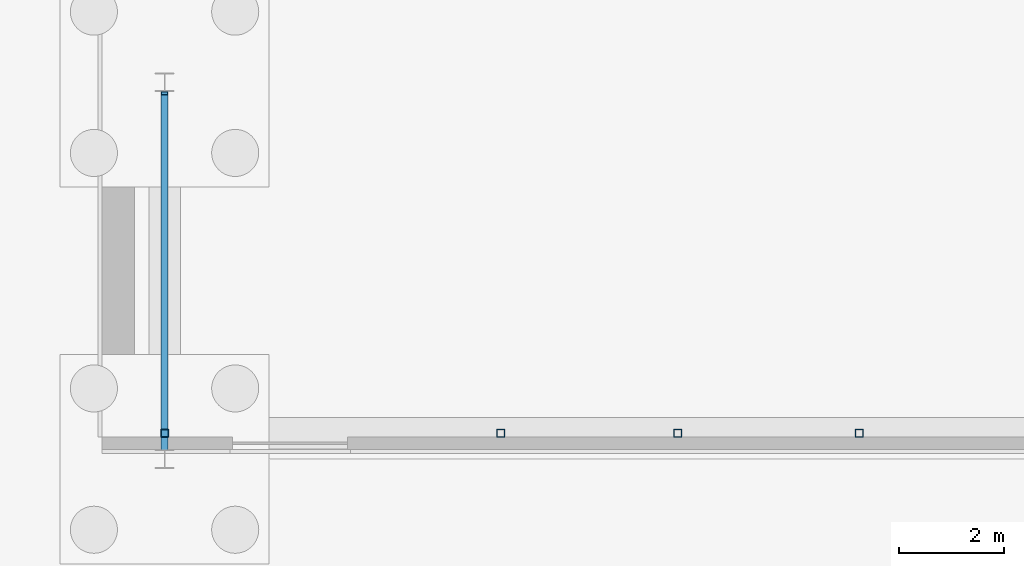
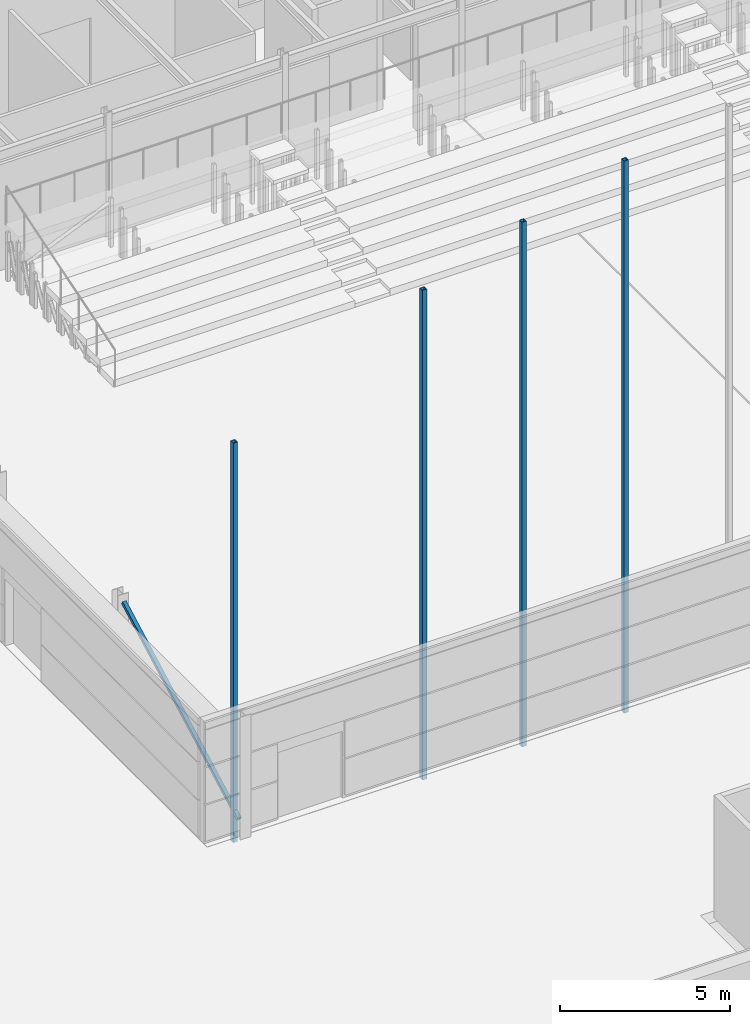
# One storey, part 27 of 139: 5 members.
"""IFC4 building model written with IfcOpenShell, lengths in metres."""

from ifc_helpers import new_model, si_unit, direction, frame, origin, origin_2d, place, context, subcontext, project, spatial, hollow_rectangle, extrude, material, material_profile, profile_set, type_object, element, save


model = new_model("IFC4")

# Units and contexts
model_context = context("Model", 3, precision=1e-05, world=origin(), true_north=direction((0.0, 1.0)))
body_context = subcontext(model_context, "Body", "Model", "MODEL_VIEW")
ifc_project = project(units=[si_unit("LENGTHUNIT", "METRE"), si_unit("AREAUNIT", "SQUARE_METRE"), si_unit("VOLUMEUNIT", "CUBIC_METRE"), si_unit("PLANEANGLEUNIT", "RADIAN"), si_unit("MASSUNIT", "GRAM", prefix="KILO")], contexts=[model_context])

# Site, building, storey
site_placement = place(None, origin())
site = spatial("IfcSite", under=ifc_project, at=site_placement, CompositionType="ELEMENT")
building_placement = place(site_placement, origin())
building = spatial("IfcBuilding", under=site, at=building_placement, Name="Verrick Yard Athletic Hall", CompositionType="ELEMENT")
storey_placement = place(building_placement, origin())
storey = spatial("IfcBuildingStorey", under=building, at=storey_placement, Name="L00", CompositionType="ELEMENT", Elevation=0.0)

# Members
ifc_material = material(Name="Structural steel HSS Class C 350W (CSA G40.20/G40.21)", Category="steel")
ifc_material_profile_1 = material_profile(ifc_material, hollow_rectangle(XDim=0.15234375, YDim=0.15234375, WallThickness=0.009521484375, at=origin_2d()), Name="HSS152x152x9.5")
ifc_profile_set_1 = profile_set([ifc_material_profile_1], Name="Structural steel HSS Class C 350W (CSA G40.20/G40.21)")
member_type_1 = type_object("IfcMemberType", Name="HB gable post HSS152x152x9.5", PredefinedType="POST", material=ifc_profile_set_1)
member_1_placement = place(storey_placement, frame((28.0, 72.49462890625, -0.5), z_axis=(0.0, 0.0, 1.0), x_axis=(1.0, 0.0, 0.0)))
element("IfcMember", 1, at=member_1_placement, inside=storey, type_object=member_type_1, Name="HB-GP-BS-0", PredefinedType="POST", context=body_context, shape_type="SweptSolid", body=[
    extrude(hollow_rectangle(XDim=0.15234375, YDim=0.15234375, WallThickness=0.009521484375, at=origin_2d()), origin(), (0.0, 0.0, 1.0), 14.3544921875),
])
member_2_placement = place(storey_placement, frame((34.423583984375, 72.49462890625, -0.5), z_axis=(0.0, 0.0, 1.0), x_axis=(1.0, 0.0, 0.0)))
element("IfcMember", 2, at=member_2_placement, inside=storey, type_object=member_type_1, Name="HB-GP-BS-2", PredefinedType="POST", context=body_context, shape_type="SweptSolid", body=[
    extrude(hollow_rectangle(XDim=0.15234375, YDim=0.15234375, WallThickness=0.009521484375, at=origin_2d()), origin(), (0.0, 0.0, 1.0), 17.592041015625),
])
member_3_placement = place(storey_placement, frame((37.807373046875, 72.49462890625, -0.5), z_axis=(0.0, 0.0, 1.0), x_axis=(1.0, 0.0, 0.0)))
element("IfcMember", 3, at=member_3_placement, inside=storey, type_object=member_type_1, Name="HB-GP-BS-3", PredefinedType="POST", context=body_context, shape_type="SweptSolid", body=[
    extrude(hollow_rectangle(XDim=0.15234375, YDim=0.15234375, WallThickness=0.009521484375, at=origin_2d()), origin(), (0.0, 0.0, 1.0), 18.849609375),
])
member_4_placement = place(storey_placement, frame((41.278564453125, 72.49462890625, -0.5), z_axis=(0.0, 0.0, 1.0), x_axis=(1.0, 0.0, 0.0)))
element("IfcMember", 4, at=member_4_placement, inside=storey, type_object=member_type_1, Name="HB-GP-BS-4", PredefinedType="POST", context=body_context, shape_type="SweptSolid", body=[
    extrude(hollow_rectangle(XDim=0.15234375, YDim=0.15234375, WallThickness=0.009521484375, at=origin_2d()), origin(), (0.0, 0.0, 1.0), 19.8369140625),
])
ifc_material_profile_2 = material_profile(ifc_material, hollow_rectangle(XDim=0.126953125, YDim=0.126953125, WallThickness=0.009521484375, at=origin_2d()), Name="HSS127x127x9.5")
ifc_profile_set_2 = profile_set([ifc_material_profile_2], Name="Structural steel HSS Class C 350W (CSA G40.20/G40.21)")
member_type_2 = type_object("IfcMemberType", Name="HB wall brace HSS127x127x9.5", PredefinedType="BRACE", material=ifc_profile_set_2)
member_5_placement = place(storey_placement, frame((28.0, 72.208251953125, 0.46630859375), z_axis=(0.0, 0.879758415008, 0.475421004187), x_axis=(-1.0, 0.0, 0.0)))
element("IfcMember", 5, at=member_5_placement, inside=storey, type_object=member_type_2, Name="HB-BRW-BW-1-L00", PredefinedType="BRACE", context=body_context, shape_type="SweptSolid", body=[
    extrude(hollow_rectangle(XDim=0.126953125, YDim=0.126953125, WallThickness=0.009521484375, at=origin_2d()), origin(), (0.0, 0.0, 1.0), 7.710693359375),
])

save(model, "model.ifc")
